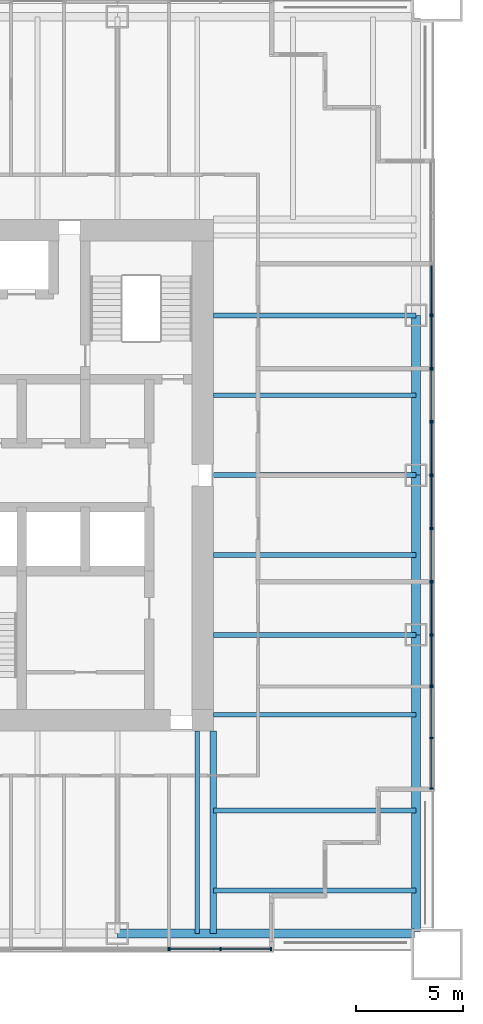
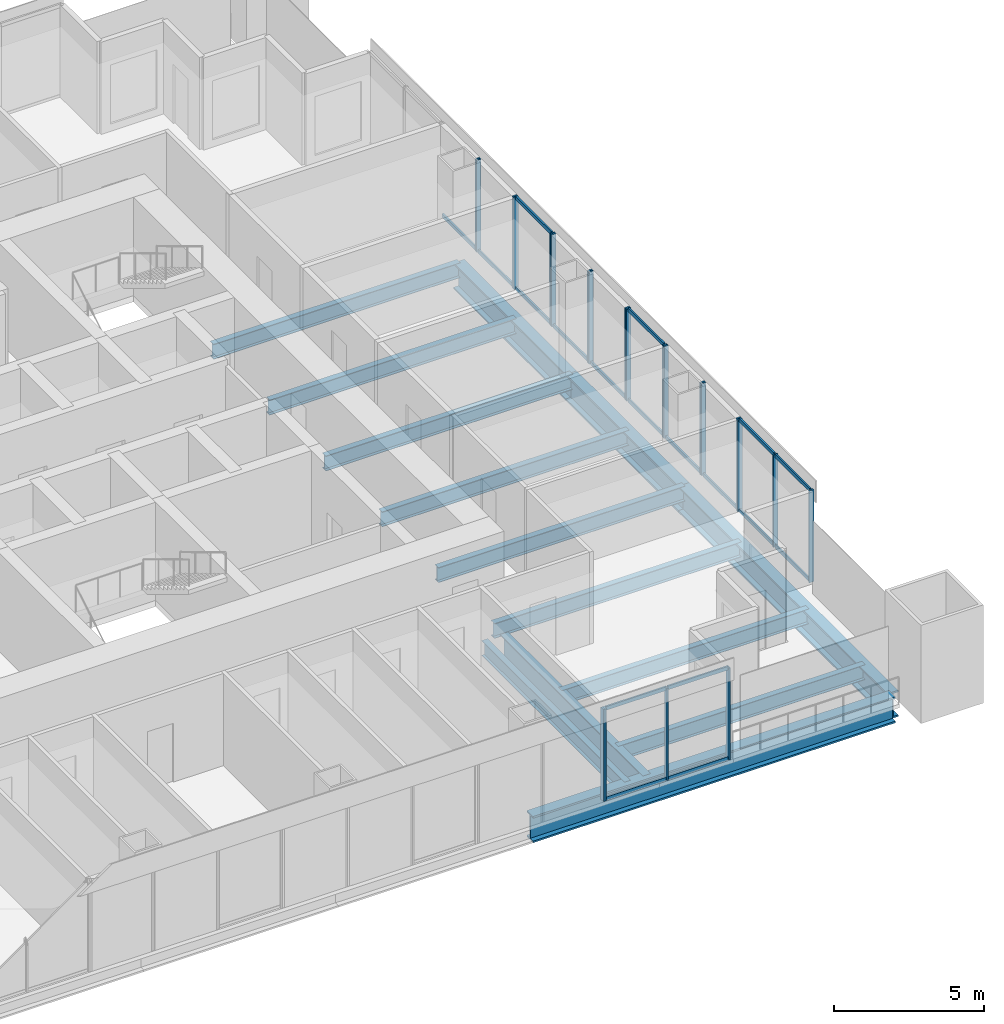
# One storey, part 4 of 14: 40 members, 14 beams, 11 elements without a shape of their own.
"""IFC4 building model written with IfcOpenShell, lengths in metres."""

from ifc_helpers import new_model, si_unit, direction, frame, origin, origin_2d, place, context, subcontext, project, spatial, rectangle, i_section, extrude, material, material_profile, profile_set, type_object, element, aggregate, save


model = new_model("IFC4")

# Units and contexts
model_context = context("Model", 3, precision=1e-05, world=origin(), true_north=direction((0.0, 1.0)))
body_context = subcontext(model_context, "Body", "Model", "MODEL_VIEW")
ifc_project = project(units=[si_unit("LENGTHUNIT", "METRE"), si_unit("AREAUNIT", "SQUARE_METRE"), si_unit("VOLUMEUNIT", "CUBIC_METRE"), si_unit("PLANEANGLEUNIT", "RADIAN"), si_unit("MASSUNIT", "GRAM", prefix="KILO")], contexts=[model_context])

# Site, building, storey
site_placement = place(None, origin())
site = spatial("IfcSite", under=ifc_project, at=site_placement, CompositionType="ELEMENT")
building_placement = place(site_placement, origin())
building = spatial("IfcBuilding", under=site, at=building_placement, Name="Tarangal Relay Tower", CompositionType="ELEMENT")
storey_placement = place(building_placement, frame((0.0, 0.0, 249.89990234375)))
storey = spatial("IfcBuildingStorey", under=building, at=storey_placement, Name="L54", CompositionType="ELEMENT", Elevation=249.89990234375)

# Beams
ifc_material_1 = material(Name="Steel ASTM A992", Category="steel")
ifc_material_profile_1 = material_profile(ifc_material_1, i_section(OverallWidth=0.227783203125, OverallDepth=0.60205078125, WebThickness=0.010498046875, FlangeThickness=0.014892578125, at=origin_2d()), Name="W24X68")
ifc_profile_set_1 = profile_set([ifc_material_profile_1], Name="Steel ASTM A992")
beam_type_1 = type_object("IfcBeamType", Name="Corner beam W24X68", PredefinedType="JOIST", material=ifc_profile_set_1)
for number, where, z_axis, x_axis, name in (
    (1, (12.0, -15.75, -0.450927734375), (1.0, 0.0, 0.0), (0.0, 1.0, 0.0), "Corner beam CB11 E L54"),
    (2, (12.0, -19.5, -0.450927734375), (1.0, 0.0, 0.0), (0.0, 1.0, 0.0), "Corner beam CB11 E L54"),
):
    element("IfcBeam", number, at=place(storey_placement, frame(where, z_axis=z_axis, x_axis=x_axis)), inside=storey, type_object=beam_type_1, Name=name, PredefinedType="JOIST", context=body_context, shape_type="SweptSolid", body=[
        extrude(i_section(OverallWidth=0.227783203125, OverallDepth=0.60205078125, WebThickness=0.010498046875, FlangeThickness=0.014892578125, at=origin_2d()), origin(), (0.0, 0.0, 1.0), 9.514892578125),
    ])
ifc_material_profile_2 = material_profile(ifc_material_1, i_section(OverallWidth=0.307373046875, OverallDepth=0.9423828125, WebThickness=0.022216796875, FlangeThickness=0.039794921875, at=origin_2d()), Name="W36X232")
ifc_profile_set_2 = profile_set([ifc_material_profile_2], Name="Steel ASTM A992")
beam_type_2 = type_object("IfcBeamType", Name="Corner girder W36X232", PredefinedType="BEAM", material=ifc_profile_set_2)
beam_placement = place(storey_placement, frame((12.0, -12.0, -0.62109375), z_axis=(0.0, -1.0, 0.0), x_axis=(1.0, 0.0, 0.0)))
element("IfcBeam", 3, at=beam_placement, inside=storey, type_object=beam_type_2, Name="Corner girder CG4 E L54", PredefinedType="BEAM", context=body_context, shape_type="SweptSolid", body=[
    extrude(i_section(OverallWidth=0.307373046875, OverallDepth=0.9423828125, WebThickness=0.022216796875, FlangeThickness=0.039794921875, at=origin_2d()), origin(), (0.0, 0.0, 1.0), 9.514892578125),
])
ifc_material_profile_3 = material_profile(ifc_material_1, i_section(OverallWidth=0.41650390625, OverallDepth=1.0693359375, WebThickness=0.0390625, FlangeThickness=0.070068359375, at=origin_2d()), Name="W40X503")
ifc_profile_set_3 = profile_set([ifc_material_profile_3], Name="Steel ASTM A992")
beam_type_3 = type_object("IfcBeamType", Name="Edge girder W40X503", PredefinedType="SPANDREL", material=ifc_profile_set_3)
for number, where, z_axis, x_axis, name in (
    (4, (21.514892578125, 7.5, -0.6845703125), (0.0, -1.0, 0.0), (1.0, 0.0, 0.0), "Edge girder EG8 E L54"),
    (5, (21.514892578125, 0.0, -0.6845703125), (0.0, -1.0, 0.0), (1.0, 0.0, 0.0), "Edge girder EG8 E L54"),
):
    element("IfcBeam", number, at=place(storey_placement, frame(where, z_axis=z_axis, x_axis=x_axis)), inside=storey, type_object=beam_type_3, Name=name, PredefinedType="SPANDREL", context=body_context, shape_type="SweptSolid", body=[
        extrude(i_section(OverallWidth=0.41650390625, OverallDepth=1.0693359375, WebThickness=0.0390625, FlangeThickness=0.070068359375, at=origin_2d()), origin(), (0.0, 0.0, 1.0), 7.5),
    ])
for number, where, z_axis, x_axis, name in (
    (6, (21.514892578125, -7.5, -0.6845703125), (0.0, -1.0, 0.0), (1.0, 0.0, 0.0), "Edge girder EG8 E L54"),
    (7, (21.449951171875, -21.514892578125, -0.6845703125), (-1.0, 0.0, 0.0), (0.0, -1.0, 0.0), "Edge girder EG8 S L54"),
):
    element("IfcBeam", number, at=place(storey_placement, frame(where, z_axis=z_axis, x_axis=x_axis)), inside=storey, type_object=beam_type_3, Name=name, PredefinedType="SPANDREL", context=body_context, shape_type="SweptSolid", body=[
        extrude(i_section(OverallWidth=0.41650390625, OverallDepth=1.0693359375, WebThickness=0.0390625, FlangeThickness=0.070068359375, at=origin_2d()), origin(), (0.0, 0.0, 1.0), 13.949951171875),
    ])
ifc_material_profile_4 = material_profile(ifc_material_1, i_section(OverallWidth=0.22900390625, OverallDepth=0.612060546875, WebThickness=0.011962890625, FlangeThickness=0.01953125, at=origin_2d()), Name="W24X84")
ifc_profile_set_4 = profile_set([ifc_material_profile_4], Name="Steel ASTM A992")
beam_type_4 = type_object("IfcBeamType", Name="Floor beam W24X84", PredefinedType="BEAM", material=ifc_profile_set_4)
for number, where, z_axis, x_axis, name in (
    (8, (12.0, 7.5, -0.455810546875), (1.0, 0.0, 0.0), (0.0, 1.0, 0.0), "Floor beam RB12 E L54"),
    (9, (12.0, 3.75, -0.455810546875), (1.0, 0.0, 0.0), (0.0, 1.0, 0.0), "Floor beam RB12 E L54"),
    (10, (12.0, 0.0, -0.455810546875), (1.0, 0.0, 0.0), (0.0, 1.0, 0.0), "Floor beam RB12 E L54"),
    (11, (12.0, -3.75, -0.455810546875), (1.0, 0.0, 0.0), (0.0, 1.0, 0.0), "Floor beam RB12 E L54"),
    (12, (12.0, -7.5, -0.455810546875), (1.0, 0.0, 0.0), (0.0, 1.0, 0.0), "Floor beam RB12 E L54"),
    (13, (12.0, -11.25, -0.455810546875), (1.0, 0.0, 0.0), (0.0, 1.0, 0.0), "Floor beam RB12 E L54"),
    (14, (11.25, -12.0, -0.455810546875), (0.0, -1.0, 0.0), (1.0, 0.0, 0.0), "Floor beam RB12 S L54"),
):
    element("IfcBeam", number, at=place(storey_placement, frame(where, z_axis=z_axis, x_axis=x_axis)), inside=storey, type_object=beam_type_4, Name=name, PredefinedType="BEAM", context=body_context, shape_type="SweptSolid", body=[
        extrude(i_section(OverallWidth=0.22900390625, OverallDepth=0.612060546875, WebThickness=0.011962890625, FlangeThickness=0.01953125, at=origin_2d()), origin(), (0.0, 0.0, 1.0), 9.514892578125),
    ])

# Curtain wall, members
ifc_material_2 = material(Name="Unitised curtain wall, dark glass and black aluminium", Category="aluminium")
curtain_wall_type_1 = type_object("IfcCurtainWallType", Name="Curtain wall CW-A", PredefinedType="USERDEFINED", material=ifc_material_2)
curtain_wall_1_placement = place(storey_placement, origin())
curtain_wall_1 = element("IfcCurtainWall", 15, at=curtain_wall_1_placement, inside=storey, type_object=curtain_wall_type_1, Name="Curtain wall CW-A E facade L54", ObjectType="UNITISED CURTAIN WALL", PredefinedType="USERDEFINED")
ifc_material_3 = material(Name="Black anodised aluminium mullion", Category="aluminium")
ifc_material_profile_5 = material_profile(ifc_material_3, rectangle(XDim=0.175048828125, YDim=0.06494140625, at=origin_2d()), Name="CW-AM 65X175")
ifc_profile_set_5 = profile_set([ifc_material_profile_5], Name="Black anodised aluminium mullion")
member_type_1 = type_object("IfcMemberType", Name="Mullion CW-A 65 x 175", PredefinedType="MULLION", material=ifc_profile_set_5)
member_1_placement = place(storey_placement, frame((22.25, 4.967529296875, 0.0), z_axis=(0.0, 0.0, 1.0), x_axis=(1.0, 0.0, 0.0)))
member_1 = element("IfcMember", 16, at=member_1_placement, type_object=member_type_1, Name="CW-A mullion 1", PredefinedType="MULLION", context=body_context, shape_type="SweptSolid", body=[
    extrude(rectangle(XDim=0.175048828125, YDim=0.06494140625, at=origin_2d()), origin(), (0.0, 0.0, 1.0), 3.75),
])
member_2_placement = place(storey_placement, frame((22.25, 2.532470703125, 0.0), z_axis=(0.0, 0.0, 1.0), x_axis=(1.0, 0.0, 0.0)))
member_2 = element("IfcMember", 17, at=member_2_placement, type_object=member_type_1, Name="CW-A mullion 2", PredefinedType="MULLION", context=body_context, shape_type="SweptSolid", body=[
    extrude(rectangle(XDim=0.175048828125, YDim=0.06494140625, at=origin_2d()), origin(), (0.0, 0.0, 1.0), 3.75),
])

curtain_wall_2_placement = place(storey_placement, origin())
curtain_wall_2 = element("IfcCurtainWall", 18, at=curtain_wall_2_placement, inside=storey, type_object=curtain_wall_type_1, Name="Curtain wall CW-A E facade L54", ObjectType="UNITISED CURTAIN WALL", PredefinedType="USERDEFINED")
member_3_placement = place(storey_placement, frame((22.25, -2.532470703125, 0.0), z_axis=(0.0, 0.0, 1.0), x_axis=(1.0, 0.0, 0.0)))
member_3 = element("IfcMember", 19, at=member_3_placement, type_object=member_type_1, Name="CW-A mullion 1", PredefinedType="MULLION", context=body_context, shape_type="SweptSolid", body=[
    extrude(rectangle(XDim=0.175048828125, YDim=0.06494140625, at=origin_2d()), origin(), (0.0, 0.0, 1.0), 3.75),
])
member_4_placement = place(storey_placement, frame((22.25, -4.967529296875, 0.0), z_axis=(0.0, 0.0, 1.0), x_axis=(1.0, 0.0, 0.0)))
member_4 = element("IfcMember", 20, at=member_4_placement, type_object=member_type_1, Name="CW-A mullion 2", PredefinedType="MULLION", context=body_context, shape_type="SweptSolid", body=[
    extrude(rectangle(XDim=0.175048828125, YDim=0.06494140625, at=origin_2d()), origin(), (0.0, 0.0, 1.0), 3.75),
])

curtain_wall_3_placement = place(storey_placement, origin())
curtain_wall_3 = element("IfcCurtainWall", 21, at=curtain_wall_3_placement, inside=storey, type_object=curtain_wall_type_1, Name="Curtain wall CW-A E facade L54", ObjectType="UNITISED CURTAIN WALL", PredefinedType="USERDEFINED")
member_5_placement = place(storey_placement, frame((22.25, -9.94921875, 0.0), z_axis=(0.0, 0.0, 1.0), x_axis=(1.0, 0.0, 0.0)))
member_5 = element("IfcMember", 22, at=member_5_placement, type_object=member_type_1, Name="CW-A mullion 1", PredefinedType="MULLION", context=body_context, shape_type="SweptSolid", body=[
    extrude(rectangle(XDim=0.175048828125, YDim=0.06494140625, at=origin_2d()), origin(), (0.0, 0.0, 1.0), 3.75),
])
member_6_placement = place(storey_placement, frame((22.25, -12.333251953125, 0.0), z_axis=(0.0, 0.0, 1.0), x_axis=(1.0, 0.0, 0.0)))
member_6 = element("IfcMember", 23, at=member_6_placement, type_object=member_type_1, Name="CW-A mullion 2", PredefinedType="MULLION", context=body_context, shape_type="SweptSolid", body=[
    extrude(rectangle(XDim=0.175048828125, YDim=0.06494140625, at=origin_2d()), origin(), (0.0, 0.0, 1.0), 3.75),
])
member_7_placement = place(storey_placement, frame((22.25, -14.717529296875, 0.0), z_axis=(0.0, 0.0, 1.0), x_axis=(1.0, 0.0, 0.0)))
member_7 = element("IfcMember", 24, at=member_7_placement, type_object=member_type_1, Name="CW-A mullion 3", PredefinedType="MULLION", context=body_context, shape_type="SweptSolid", body=[
    extrude(rectangle(XDim=0.175048828125, YDim=0.06494140625, at=origin_2d()), origin(), (0.0, 0.0, 1.0), 3.75),
])

curtain_wall_4_placement = place(storey_placement, origin())
curtain_wall_4 = element("IfcCurtainWall", 25, at=curtain_wall_4_placement, inside=storey, type_object=curtain_wall_type_1, Name="Curtain wall CW-A S facade L54", ObjectType="UNITISED CURTAIN WALL", PredefinedType="USERDEFINED")
member_8_placement = place(storey_placement, frame((14.717529296875, -22.25, 0.0), z_axis=(0.0, 0.0, 1.0), x_axis=(0.0, -1.0, 0.0)))
member_8 = element("IfcMember", 26, at=member_8_placement, type_object=member_type_1, Name="CW-A mullion 1", PredefinedType="MULLION", context=body_context, shape_type="SweptSolid", body=[
    extrude(rectangle(XDim=0.175048828125, YDim=0.06494140625, at=origin_2d()), origin(), (0.0, 0.0, 1.0), 3.75),
])
member_9_placement = place(storey_placement, frame((12.333251953125, -22.25, 0.0), z_axis=(0.0, 0.0, 1.0), x_axis=(0.0, -1.0, 0.0)))
member_9 = element("IfcMember", 27, at=member_9_placement, type_object=member_type_1, Name="CW-A mullion 2", PredefinedType="MULLION", context=body_context, shape_type="SweptSolid", body=[
    extrude(rectangle(XDim=0.175048828125, YDim=0.06494140625, at=origin_2d()), origin(), (0.0, 0.0, 1.0), 3.75),
])
member_10_placement = place(storey_placement, frame((9.94921875, -22.25, 0.0), z_axis=(0.0, 0.0, 1.0), x_axis=(0.0, -1.0, 0.0)))
member_10 = element("IfcMember", 28, at=member_10_placement, type_object=member_type_1, Name="CW-A mullion 3", PredefinedType="MULLION", context=body_context, shape_type="SweptSolid", body=[
    extrude(rectangle(XDim=0.175048828125, YDim=0.06494140625, at=origin_2d()), origin(), (0.0, 0.0, 1.0), 3.75),
])

# Curtain wall, member
ifc_material_4 = material(Name="Unitised curtain wall frame, black aluminium, with metal clad infill walls", Category="aluminium")
curtain_wall_type_2 = type_object("IfcCurtainWallType", Name="Curtain wall CW-AO", PredefinedType="USERDEFINED", material=ifc_material_4)
curtain_wall_5_placement = place(storey_placement, origin())
curtain_wall_5 = element("IfcCurtainWall", 29, at=curtain_wall_5_placement, inside=storey, type_object=curtain_wall_type_2, Name="Curtain wall CW-AO E facade L54", ObjectType="UNITISED CURTAIN WALL", PredefinedType="USERDEFINED")
ifc_material_profile_6 = material_profile(ifc_material_3, rectangle(XDim=0.175048828125, YDim=0.06494140625, at=origin_2d()), Name="CW-AOM 65X175")
ifc_profile_set_6 = profile_set([ifc_material_profile_6], Name="Black anodised aluminium mullion")
member_type_2 = type_object("IfcMemberType", Name="Mullion CW-AO 65 x 175", PredefinedType="MULLION", material=ifc_profile_set_6)
member_11_placement = place(storey_placement, frame((22.25, 7.532470703125, 0.0), z_axis=(0.0, 0.0, 1.0), x_axis=(1.0, 0.0, 0.0)))
member_11 = element("IfcMember", 30, at=member_11_placement, type_object=member_type_2, Name="CW-AO mullion 2", PredefinedType="MULLION", context=body_context, shape_type="SweptSolid", body=[
    extrude(rectangle(XDim=0.175048828125, YDim=0.06494140625, at=origin_2d()), origin(), (0.0, 0.0, 1.0), 3.75),
])

# Curtain wall, members
curtain_wall_6_placement = place(storey_placement, origin())
curtain_wall_6 = element("IfcCurtainWall", 31, at=curtain_wall_6_placement, inside=storey, type_object=curtain_wall_type_2, Name="Curtain wall CW-AO E facade L54", ObjectType="UNITISED CURTAIN WALL", PredefinedType="USERDEFINED")
member_12_placement = place(storey_placement, frame((22.25, 7.467529296875, 0.0), z_axis=(0.0, 0.0, 1.0), x_axis=(1.0, 0.0, 0.0)))
member_12 = element("IfcMember", 32, at=member_12_placement, type_object=member_type_2, Name="CW-AO mullion 1", PredefinedType="MULLION", context=body_context, shape_type="SweptSolid", body=[
    extrude(rectangle(XDim=0.175048828125, YDim=0.06494140625, at=origin_2d()), origin(), (0.0, 0.0, 1.0), 3.75),
])
member_13_placement = place(storey_placement, frame((22.25, 5.032470703125, 0.0), z_axis=(0.0, 0.0, 1.0), x_axis=(1.0, 0.0, 0.0)))
member_13 = element("IfcMember", 33, at=member_13_placement, type_object=member_type_2, Name="CW-AO mullion 2", PredefinedType="MULLION", context=body_context, shape_type="SweptSolid", body=[
    extrude(rectangle(XDim=0.175048828125, YDim=0.06494140625, at=origin_2d()), origin(), (0.0, 0.0, 1.0), 3.75),
])

curtain_wall_7_placement = place(storey_placement, origin())
curtain_wall_7 = element("IfcCurtainWall", 34, at=curtain_wall_7_placement, inside=storey, type_object=curtain_wall_type_2, Name="Curtain wall CW-AO E facade L54", ObjectType="UNITISED CURTAIN WALL", PredefinedType="USERDEFINED")
member_14_placement = place(storey_placement, frame((22.25, 2.467529296875, 0.0), z_axis=(0.0, 0.0, 1.0), x_axis=(1.0, 0.0, 0.0)))
member_14 = element("IfcMember", 35, at=member_14_placement, type_object=member_type_2, Name="CW-AO mullion 1", PredefinedType="MULLION", context=body_context, shape_type="SweptSolid", body=[
    extrude(rectangle(XDim=0.175048828125, YDim=0.06494140625, at=origin_2d()), origin(), (0.0, 0.0, 1.0), 3.75),
])
member_15_placement = place(storey_placement, frame((22.25, 0.032470703125, 0.0), z_axis=(0.0, 0.0, 1.0), x_axis=(1.0, 0.0, 0.0)))
member_15 = element("IfcMember", 36, at=member_15_placement, type_object=member_type_2, Name="CW-AO mullion 2", PredefinedType="MULLION", context=body_context, shape_type="SweptSolid", body=[
    extrude(rectangle(XDim=0.175048828125, YDim=0.06494140625, at=origin_2d()), origin(), (0.0, 0.0, 1.0), 3.75),
])

curtain_wall_8_placement = place(storey_placement, origin())
curtain_wall_8 = element("IfcCurtainWall", 37, at=curtain_wall_8_placement, inside=storey, type_object=curtain_wall_type_2, Name="Curtain wall CW-AO E facade L54", ObjectType="UNITISED CURTAIN WALL", PredefinedType="USERDEFINED")
member_16_placement = place(storey_placement, frame((22.25, -0.032470703125, 0.0), z_axis=(0.0, 0.0, 1.0), x_axis=(1.0, 0.0, 0.0)))
member_16 = element("IfcMember", 38, at=member_16_placement, type_object=member_type_2, Name="CW-AO mullion 1", PredefinedType="MULLION", context=body_context, shape_type="SweptSolid", body=[
    extrude(rectangle(XDim=0.175048828125, YDim=0.06494140625, at=origin_2d()), origin(), (0.0, 0.0, 1.0), 3.75),
])
member_17_placement = place(storey_placement, frame((22.25, -2.467529296875, 0.0), z_axis=(0.0, 0.0, 1.0), x_axis=(1.0, 0.0, 0.0)))
member_17 = element("IfcMember", 39, at=member_17_placement, type_object=member_type_2, Name="CW-AO mullion 2", PredefinedType="MULLION", context=body_context, shape_type="SweptSolid", body=[
    extrude(rectangle(XDim=0.175048828125, YDim=0.06494140625, at=origin_2d()), origin(), (0.0, 0.0, 1.0), 3.75),
])

curtain_wall_9_placement = place(storey_placement, origin())
curtain_wall_9 = element("IfcCurtainWall", 40, at=curtain_wall_9_placement, inside=storey, type_object=curtain_wall_type_2, Name="Curtain wall CW-AO E facade L54", ObjectType="UNITISED CURTAIN WALL", PredefinedType="USERDEFINED")
member_18_placement = place(storey_placement, frame((22.25, -5.032470703125, 0.0), z_axis=(0.0, 0.0, 1.0), x_axis=(1.0, 0.0, 0.0)))
member_18 = element("IfcMember", 41, at=member_18_placement, type_object=member_type_2, Name="CW-AO mullion 1", PredefinedType="MULLION", context=body_context, shape_type="SweptSolid", body=[
    extrude(rectangle(XDim=0.175048828125, YDim=0.06494140625, at=origin_2d()), origin(), (0.0, 0.0, 1.0), 3.75),
])
member_19_placement = place(storey_placement, frame((22.25, -7.467529296875, 0.0), z_axis=(0.0, 0.0, 1.0), x_axis=(1.0, 0.0, 0.0)))
member_19 = element("IfcMember", 42, at=member_19_placement, type_object=member_type_2, Name="CW-AO mullion 2", PredefinedType="MULLION", context=body_context, shape_type="SweptSolid", body=[
    extrude(rectangle(XDim=0.175048828125, YDim=0.06494140625, at=origin_2d()), origin(), (0.0, 0.0, 1.0), 3.75),
])

curtain_wall_10_placement = place(storey_placement, origin())
curtain_wall_10 = element("IfcCurtainWall", 43, at=curtain_wall_10_placement, inside=storey, type_object=curtain_wall_type_2, Name="Curtain wall CW-AO E facade L54", ObjectType="UNITISED CURTAIN WALL", PredefinedType="USERDEFINED")
member_20_placement = place(storey_placement, frame((22.25, -7.532470703125, 0.0), z_axis=(0.0, 0.0, 1.0), x_axis=(1.0, 0.0, 0.0)))
member_20 = element("IfcMember", 44, at=member_20_placement, type_object=member_type_2, Name="CW-AO mullion 1", PredefinedType="MULLION", context=body_context, shape_type="SweptSolid", body=[
    extrude(rectangle(XDim=0.175048828125, YDim=0.06494140625, at=origin_2d()), origin(), (0.0, 0.0, 1.0), 3.75),
])
member_21_placement = place(storey_placement, frame((22.25, -9.88427734375, 0.0), z_axis=(0.0, 0.0, 1.0), x_axis=(1.0, 0.0, 0.0)))
member_21 = element("IfcMember", 45, at=member_21_placement, type_object=member_type_2, Name="CW-AO mullion 2", PredefinedType="MULLION", context=body_context, shape_type="SweptSolid", body=[
    extrude(rectangle(XDim=0.175048828125, YDim=0.06494140625, at=origin_2d()), origin(), (0.0, 0.0, 1.0), 3.75),
])

# Curtain wall, member
curtain_wall_11_placement = place(storey_placement, origin())
curtain_wall_11 = element("IfcCurtainWall", 46, at=curtain_wall_11_placement, inside=storey, type_object=curtain_wall_type_2, Name="Curtain wall CW-AO S facade L54", ObjectType="UNITISED CURTAIN WALL", PredefinedType="USERDEFINED")
member_22_placement = place(storey_placement, frame((9.88427734375, -22.25, 0.0), z_axis=(0.0, 0.0, 1.0), x_axis=(0.0, -1.0, 0.0)))
member_22 = element("IfcMember", 47, at=member_22_placement, type_object=member_type_2, Name="CW-AO mullion 1", PredefinedType="MULLION", context=body_context, shape_type="SweptSolid", body=[
    extrude(rectangle(XDim=0.175048828125, YDim=0.06494140625, at=origin_2d()), origin(), (0.0, 0.0, 1.0), 3.75),
])
aggregate(curtain_wall_11, [member_22])

# Member
ifc_material_5 = material(Name="Black anodised aluminium transom", Category="aluminium")
ifc_material_profile_7 = material_profile(ifc_material_5, rectangle(XDim=0.06494140625, YDim=0.14990234375, at=origin_2d()), Name="CW-AT 65X150")
ifc_profile_set_7 = profile_set([ifc_material_profile_7], Name="Black anodised aluminium transom")
member_type_3 = type_object("IfcMemberType", Name="Transom CW-A 65 x 150", PredefinedType="USERDEFINED", material=ifc_profile_set_7)
member_23_placement = place(storey_placement, frame((22.25, 4.93505859375, 0.03271484375), z_axis=(0.0, -1.0, 0.0), x_axis=(1.0, 0.0, 0.0)))
member_23 = element("IfcMember", 48, at=member_23_placement, type_object=member_type_3, Name="CW-A transom 1.1", ObjectType="TRANSOM", PredefinedType="USERDEFINED", context=body_context, shape_type="SweptSolid", body=[
    extrude(rectangle(XDim=0.06494140625, YDim=0.14990234375, at=origin_2d()), origin(), (0.0, 0.0, 1.0), 2.3701171875),
])

member_24_placement = place(storey_placement, frame((22.25, 4.93505859375, 3.717529296875), z_axis=(0.0, -1.0, 0.0), x_axis=(1.0, 0.0, 0.0)))
member_24 = element("IfcMember", 49, at=member_24_placement, type_object=member_type_3, Name="CW-A transom 1.2", ObjectType="TRANSOM", PredefinedType="USERDEFINED", context=body_context, shape_type="SweptSolid", body=[
    extrude(rectangle(XDim=0.06494140625, YDim=0.14990234375, at=origin_2d()), origin(), (0.0, 0.0, 1.0), 2.3701171875),
])

aggregate(curtain_wall_1, [member_1, member_2, member_23, member_24])

member_25_placement = place(storey_placement, frame((22.25, -2.56494140625, 0.03271484375), z_axis=(0.0, -1.0, 0.0), x_axis=(1.0, 0.0, 0.0)))
member_25 = element("IfcMember", 50, at=member_25_placement, type_object=member_type_3, Name="CW-A transom 1.1", ObjectType="TRANSOM", PredefinedType="USERDEFINED", context=body_context, shape_type="SweptSolid", body=[
    extrude(rectangle(XDim=0.06494140625, YDim=0.14990234375, at=origin_2d()), origin(), (0.0, 0.0, 1.0), 2.3701171875),
])

member_26_placement = place(storey_placement, frame((22.25, -2.56494140625, 3.717529296875), z_axis=(0.0, -1.0, 0.0), x_axis=(1.0, 0.0, 0.0)))
member_26 = element("IfcMember", 51, at=member_26_placement, type_object=member_type_3, Name="CW-A transom 1.2", ObjectType="TRANSOM", PredefinedType="USERDEFINED", context=body_context, shape_type="SweptSolid", body=[
    extrude(rectangle(XDim=0.06494140625, YDim=0.14990234375, at=origin_2d()), origin(), (0.0, 0.0, 1.0), 2.3701171875),
])

aggregate(curtain_wall_2, [member_3, member_4, member_25, member_26])

member_27_placement = place(storey_placement, frame((22.25, -9.981689453125, 0.03271484375), z_axis=(0.0, -1.0, 0.0), x_axis=(1.0, 0.0, 0.0)))
member_27 = element("IfcMember", 52, at=member_27_placement, type_object=member_type_3, Name="CW-A transom 1.1", ObjectType="TRANSOM", PredefinedType="USERDEFINED", context=body_context, shape_type="SweptSolid", body=[
    extrude(rectangle(XDim=0.06494140625, YDim=0.14990234375, at=origin_2d()), origin(), (0.0, 0.0, 1.0), 2.319091796875),
])

member_28_placement = place(storey_placement, frame((22.25, -9.981689453125, 3.717529296875), z_axis=(0.0, -1.0, 0.0), x_axis=(1.0, 0.0, 0.0)))
member_28 = element("IfcMember", 53, at=member_28_placement, type_object=member_type_3, Name="CW-A transom 1.2", ObjectType="TRANSOM", PredefinedType="USERDEFINED", context=body_context, shape_type="SweptSolid", body=[
    extrude(rectangle(XDim=0.06494140625, YDim=0.14990234375, at=origin_2d()), origin(), (0.0, 0.0, 1.0), 2.319091796875),
])

member_29_placement = place(storey_placement, frame((22.25, -12.365966796875, 0.03271484375), z_axis=(0.0, -1.0, 0.0), x_axis=(1.0, 0.0, 0.0)))
member_29 = element("IfcMember", 54, at=member_29_placement, type_object=member_type_3, Name="CW-A transom 2.1", ObjectType="TRANSOM", PredefinedType="USERDEFINED", context=body_context, shape_type="SweptSolid", body=[
    extrude(rectangle(XDim=0.06494140625, YDim=0.14990234375, at=origin_2d()), origin(), (0.0, 0.0, 1.0), 2.319091796875),
])

member_30_placement = place(storey_placement, frame((22.25, -12.365966796875, 3.717529296875), z_axis=(0.0, -1.0, 0.0), x_axis=(1.0, 0.0, 0.0)))
member_30 = element("IfcMember", 55, at=member_30_placement, type_object=member_type_3, Name="CW-A transom 2.2", ObjectType="TRANSOM", PredefinedType="USERDEFINED", context=body_context, shape_type="SweptSolid", body=[
    extrude(rectangle(XDim=0.06494140625, YDim=0.14990234375, at=origin_2d()), origin(), (0.0, 0.0, 1.0), 2.319091796875),
])

aggregate(curtain_wall_3, [member_5, member_6, member_7, member_27, member_28, member_29, member_30])

member_31_placement = place(storey_placement, frame((14.68505859375, -22.25, 0.03271484375), z_axis=(-1.0, 0.0, 0.0), x_axis=(0.0, -1.0, 0.0)))
member_31 = element("IfcMember", 56, at=member_31_placement, type_object=member_type_3, Name="CW-A transom 1.1", ObjectType="TRANSOM", PredefinedType="USERDEFINED", context=body_context, shape_type="SweptSolid", body=[
    extrude(rectangle(XDim=0.06494140625, YDim=0.14990234375, at=origin_2d()), origin(), (0.0, 0.0, 1.0), 2.319091796875),
])

member_32_placement = place(storey_placement, frame((14.68505859375, -22.25, 3.717529296875), z_axis=(-1.0, 0.0, 0.0), x_axis=(0.0, -1.0, 0.0)))
member_32 = element("IfcMember", 57, at=member_32_placement, type_object=member_type_3, Name="CW-A transom 1.2", ObjectType="TRANSOM", PredefinedType="USERDEFINED", context=body_context, shape_type="SweptSolid", body=[
    extrude(rectangle(XDim=0.06494140625, YDim=0.14990234375, at=origin_2d()), origin(), (0.0, 0.0, 1.0), 2.319091796875),
])

member_33_placement = place(storey_placement, frame((12.30078125, -22.25, 0.03271484375), z_axis=(-1.0, 0.0, 0.0), x_axis=(0.0, -1.0, 0.0)))
member_33 = element("IfcMember", 58, at=member_33_placement, type_object=member_type_3, Name="CW-A transom 2.1", ObjectType="TRANSOM", PredefinedType="USERDEFINED", context=body_context, shape_type="SweptSolid", body=[
    extrude(rectangle(XDim=0.06494140625, YDim=0.14990234375, at=origin_2d()), origin(), (0.0, 0.0, 1.0), 2.319091796875),
])

member_34_placement = place(storey_placement, frame((12.30078125, -22.25, 3.717529296875), z_axis=(-1.0, 0.0, 0.0), x_axis=(0.0, -1.0, 0.0)))
member_34 = element("IfcMember", 59, at=member_34_placement, type_object=member_type_3, Name="CW-A transom 2.2", ObjectType="TRANSOM", PredefinedType="USERDEFINED", context=body_context, shape_type="SweptSolid", body=[
    extrude(rectangle(XDim=0.06494140625, YDim=0.14990234375, at=origin_2d()), origin(), (0.0, 0.0, 1.0), 2.319091796875),
])

aggregate(curtain_wall_4, [member_8, member_9, member_10, member_31, member_32, member_33, member_34])

ifc_material_profile_8 = material_profile(ifc_material_5, rectangle(XDim=0.06494140625, YDim=0.14990234375, at=origin_2d()), Name="CW-AOT 65X150")
ifc_profile_set_8 = profile_set([ifc_material_profile_8], Name="Black anodised aluminium transom")
member_type_4 = type_object("IfcMemberType", Name="Transom CW-AO 65 x 150", PredefinedType="USERDEFINED", material=ifc_profile_set_8)
member_35_placement = place(storey_placement, frame((22.25, 9.851806640625, 0.03271484375), z_axis=(0.0, -1.0, 0.0), x_axis=(1.0, 0.0, 0.0)))
member_35 = element("IfcMember", 60, at=member_35_placement, type_object=member_type_4, Name="CW-AO transom 1.1", ObjectType="TRANSOM", PredefinedType="USERDEFINED", context=body_context, shape_type="SweptSolid", body=[
    extrude(rectangle(XDim=0.06494140625, YDim=0.14990234375, at=origin_2d()), origin(), (0.0, 0.0, 1.0), 2.286865234375),
])

aggregate(curtain_wall_5, [member_11, member_35])

member_36_placement = place(storey_placement, frame((22.25, 7.43505859375, 0.03271484375), z_axis=(0.0, -1.0, 0.0), x_axis=(1.0, 0.0, 0.0)))
member_36 = element("IfcMember", 61, at=member_36_placement, type_object=member_type_4, Name="CW-AO transom 1.1", ObjectType="TRANSOM", PredefinedType="USERDEFINED", context=body_context, shape_type="SweptSolid", body=[
    extrude(rectangle(XDim=0.06494140625, YDim=0.14990234375, at=origin_2d()), origin(), (0.0, 0.0, 1.0), 2.3701171875),
])

aggregate(curtain_wall_6, [member_12, member_13, member_36])

member_37_placement = place(storey_placement, frame((22.25, 2.43505859375, 0.03271484375), z_axis=(0.0, -1.0, 0.0), x_axis=(1.0, 0.0, 0.0)))
member_37 = element("IfcMember", 62, at=member_37_placement, type_object=member_type_4, Name="CW-AO transom 1.1", ObjectType="TRANSOM", PredefinedType="USERDEFINED", context=body_context, shape_type="SweptSolid", body=[
    extrude(rectangle(XDim=0.06494140625, YDim=0.14990234375, at=origin_2d()), origin(), (0.0, 0.0, 1.0), 2.3701171875),
])

aggregate(curtain_wall_7, [member_14, member_15, member_37])

member_38_placement = place(storey_placement, frame((22.25, -0.06494140625, 0.03271484375), z_axis=(0.0, -1.0, 0.0), x_axis=(1.0, 0.0, 0.0)))
member_38 = element("IfcMember", 63, at=member_38_placement, type_object=member_type_4, Name="CW-AO transom 1.1", ObjectType="TRANSOM", PredefinedType="USERDEFINED", context=body_context, shape_type="SweptSolid", body=[
    extrude(rectangle(XDim=0.06494140625, YDim=0.14990234375, at=origin_2d()), origin(), (0.0, 0.0, 1.0), 2.3701171875),
])

aggregate(curtain_wall_8, [member_16, member_17, member_38])

member_39_placement = place(storey_placement, frame((22.25, -5.06494140625, 0.03271484375), z_axis=(0.0, -1.0, 0.0), x_axis=(1.0, 0.0, 0.0)))
member_39 = element("IfcMember", 64, at=member_39_placement, type_object=member_type_4, Name="CW-AO transom 1.1", ObjectType="TRANSOM", PredefinedType="USERDEFINED", context=body_context, shape_type="SweptSolid", body=[
    extrude(rectangle(XDim=0.06494140625, YDim=0.14990234375, at=origin_2d()), origin(), (0.0, 0.0, 1.0), 2.3701171875),
])

aggregate(curtain_wall_9, [member_18, member_19, member_39])

member_40_placement = place(storey_placement, frame((22.25, -7.56494140625, 0.03271484375), z_axis=(0.0, -1.0, 0.0), x_axis=(1.0, 0.0, 0.0)))
member_40 = element("IfcMember", 65, at=member_40_placement, type_object=member_type_4, Name="CW-AO transom 1.1", ObjectType="TRANSOM", PredefinedType="USERDEFINED", context=body_context, shape_type="SweptSolid", body=[
    extrude(rectangle(XDim=0.06494140625, YDim=0.14990234375, at=origin_2d()), origin(), (0.0, 0.0, 1.0), 2.286865234375),
])

aggregate(curtain_wall_10, [member_20, member_21, member_40])

save(model, "model.ifc")
